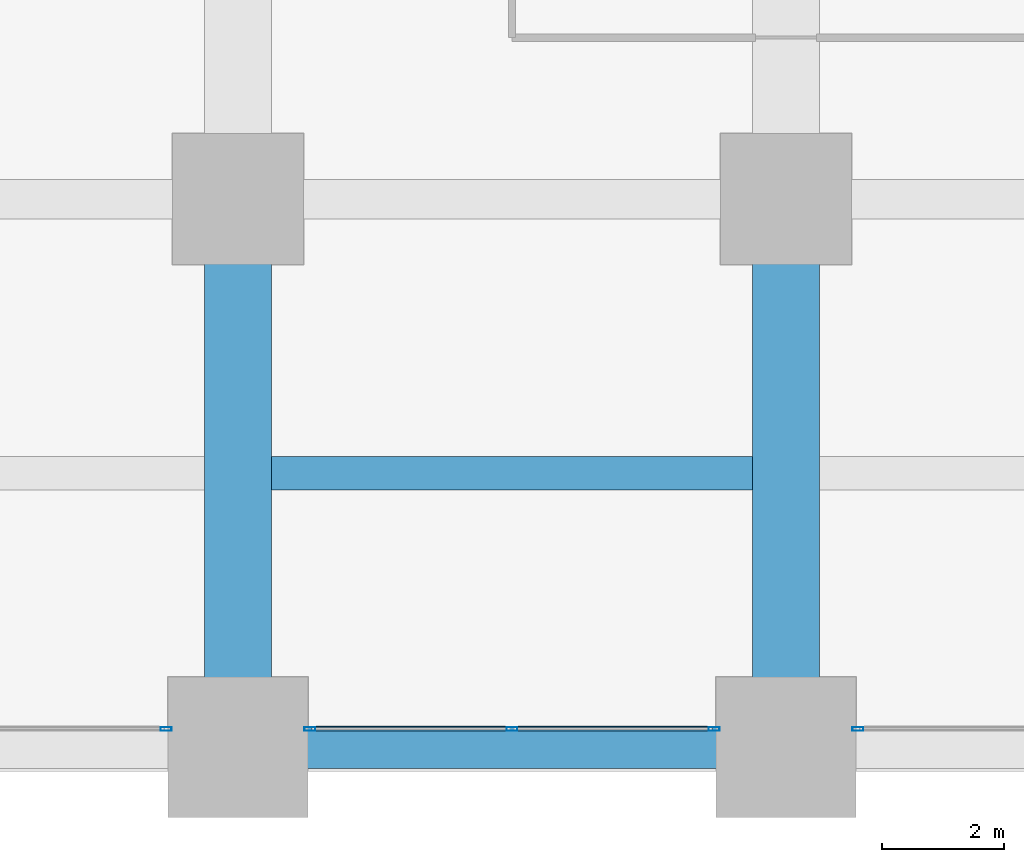
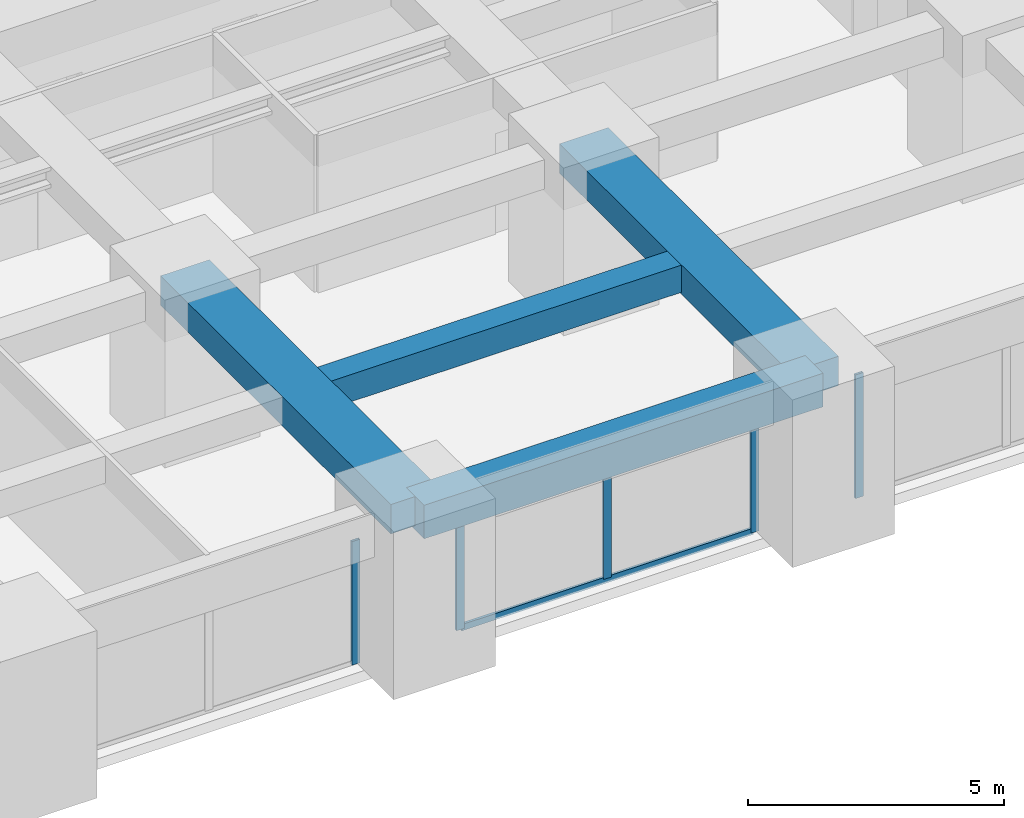
# One storey, part 13 of 44: 6 members, 4 beams, 3 elements without a shape of their own.
"""IFC4 building model written with IfcOpenShell, lengths in metres."""

from ifc_helpers import new_model, si_unit, direction, frame, origin, origin_2d, place, context, subcontext, project, spatial, rectangle, hollow_rectangle, extrude, material, material_profile, profile_set, type_object, element, aggregate, save


model = new_model("IFC4")

# Units and contexts
model_context = context("Model", 3, precision=1e-05, world=origin(), true_north=direction((0.0, 1.0)))
body_context = subcontext(model_context, "Body", "Model", "MODEL_VIEW")
ifc_project = project(units=[si_unit("LENGTHUNIT", "METRE"), si_unit("AREAUNIT", "SQUARE_METRE"), si_unit("VOLUMEUNIT", "CUBIC_METRE"), si_unit("PLANEANGLEUNIT", "RADIAN"), si_unit("MASSUNIT", "GRAM", prefix="KILO")], contexts=[model_context])

# Site, building, storey
site_placement = place(None, origin())
site = spatial("IfcSite", under=ifc_project, at=site_placement, CompositionType="ELEMENT")
building_placement = place(site_placement, origin())
building = spatial("IfcBuilding", under=site, at=building_placement, Name="Zorevar Civic Tower", CompositionType="ELEMENT")
storey_placement = place(building_placement, frame((0.0, 0.0, 59.800048828125)))
storey = spatial("IfcBuildingStorey", under=building, at=storey_placement, Name="L14", CompositionType="ELEMENT", Elevation=59.800048828125)

# Beams
ifc_material_1 = material(Name="Concrete C50/60", Category="concrete")
ifc_material_profile_1 = material_profile(ifc_material_1, rectangle(XDim=1.10009765625, YDim=0.699951171875, at=origin_2d()), Name="RC 1100x700")
ifc_profile_set_1 = profile_set([ifc_material_profile_1], Name="Concrete C50/60")
beam_type_1 = type_object("IfcBeamType", Name="Beam RC 1100x700", PredefinedType="BEAM", material=ifc_profile_set_1)
for number, where, z_axis, x_axis, name in (
    (1, (36.0, 0.0, 3.39990234375), (0.0, 1.0, 0.0), (-1.0, 0.0, 0.0), "Girder L15"),
    (2, (45.0, 0.0, 3.39990234375), (0.0, 1.0, 0.0), (-1.0, 0.0, 0.0), "Girder L15"),
):
    element("IfcBeam", number, at=place(storey_placement, frame(where, z_axis=z_axis, x_axis=x_axis)), inside=storey, type_object=beam_type_1, Name=name, PredefinedType="BEAM", context=body_context, shape_type="SweptSolid", body=[
        extrude(rectangle(XDim=1.10009765625, YDim=0.699951171875, at=origin_2d()), origin(), (0.0, 0.0, 1.0), 9.0),
    ])
ifc_material_2 = material(Name="Concrete C50/60", Category="concrete")
ifc_material_profile_2 = material_profile(ifc_material_2, rectangle(XDim=0.550048828125, YDim=0.64990234375, at=origin_2d()), Name="RC 550x650")
ifc_profile_set_2 = profile_set([ifc_material_profile_2], Name="Concrete C50/60")
beam_type_2 = type_object("IfcBeamType", Name="Beam RC 550x650", PredefinedType="BEAM", material=ifc_profile_set_2)
beam_1_placement = place(storey_placement, frame((36.550048828125, 4.5, 3.425048828125), z_axis=(1.0, 0.0, 0.0), x_axis=(0.0, 1.0, 0.0)))
element("IfcBeam", 3, at=beam_1_placement, inside=storey, type_object=beam_type_2, Name="Secondary beam L15", PredefinedType="BEAM", context=body_context, shape_type="SweptSolid", body=[
    extrude(rectangle(XDim=0.550048828125, YDim=0.64990234375, at=origin_2d()), origin(), (0.0, 0.0, 1.0), 7.89990234375),
])

# Curtain wall, member
ifc_material_3 = material(Name="Dark grey solar-control glass in black aluminium frame", Category="aluminium")
curtain_wall_type = type_object("IfcCurtainWallType", Name="Curtain wall CW2 low zone", PredefinedType="NOTDEFINED", material=ifc_material_3)
curtain_wall_1_placement = place(storey_placement, origin())
curtain_wall_1 = element("IfcCurtainWall", 4, at=curtain_wall_1_placement, inside=storey, type_object=curtain_wall_type, Name="CW2 L14", PredefinedType="NOTDEFINED")
ifc_material_4 = material(Name="Aluminium, black anodised", Category="aluminium")
ifc_material_profile_3 = material_profile(ifc_material_4, hollow_rectangle(XDim=0.06005859375, YDim=0.179931640625, WallThickness=0.00390625, at=origin_2d()), Name="AL 180x60x4")
ifc_profile_set_3 = profile_set([ifc_material_profile_3], Name="Aluminium, black anodised")
member_type_1 = type_object("IfcMemberType", Name="CW2 mullion AL 180x60x4", PredefinedType="MULLION", material=ifc_profile_set_3)
member_1_placement = place(storey_placement, frame((34.820068359375, 0.300048828125, 0.0), z_axis=(0.0, 0.0, 1.0), x_axis=(0.0, 1.0, 0.0)))
member_1 = element("IfcMember", 5, at=member_1_placement, type_object=member_type_1, Name="CW2 mullion 3", PredefinedType="MULLION", context=body_context, shape_type="SweptSolid", body=[
    extrude(hollow_rectangle(XDim=0.06005859375, YDim=0.179931640625, WallThickness=0.00390625, at=origin_2d()), origin(), (0.0, 0.0, 1.0), 2.949951171875),
])
aggregate(curtain_wall_1, [member_1])

# Curtain wall, members
curtain_wall_2_placement = place(storey_placement, origin())
curtain_wall_2 = element("IfcCurtainWall", 6, at=curtain_wall_2_placement, inside=storey, type_object=curtain_wall_type, Name="CW2 L14", PredefinedType="NOTDEFINED")
member_2_placement = place(storey_placement, frame((37.179931640625, 0.300048828125, 0.0), z_axis=(0.0, 0.0, 1.0), x_axis=(0.0, 1.0, 0.0)))
member_2 = element("IfcMember", 7, at=member_2_placement, type_object=member_type_1, Name="CW2 mullion 1", PredefinedType="MULLION", context=body_context, shape_type="SweptSolid", body=[
    extrude(hollow_rectangle(XDim=0.06005859375, YDim=0.179931640625, WallThickness=0.00390625, at=origin_2d()), origin(), (0.0, 0.0, 1.0), 2.949951171875),
])
member_3_placement = place(storey_placement, frame((40.5, 0.300048828125, 0.06005859375), z_axis=(0.0, 0.0, 1.0), x_axis=(0.0, 1.0, 0.0)))
member_3 = element("IfcMember", 8, at=member_3_placement, type_object=member_type_1, Name="CW2 mullion 2", PredefinedType="MULLION", context=body_context, shape_type="SweptSolid", body=[
    extrude(hollow_rectangle(XDim=0.06005859375, YDim=0.179931640625, WallThickness=0.00390625, at=origin_2d()), origin(), (0.0, 0.0, 1.0), 2.889892578125),
])
member_4_placement = place(storey_placement, frame((43.820068359375, 0.300048828125, 0.0), z_axis=(0.0, 0.0, 1.0), x_axis=(0.0, 1.0, 0.0)))
member_4 = element("IfcMember", 9, at=member_4_placement, type_object=member_type_1, Name="CW2 mullion 3", PredefinedType="MULLION", context=body_context, shape_type="SweptSolid", body=[
    extrude(hollow_rectangle(XDim=0.06005859375, YDim=0.179931640625, WallThickness=0.00390625, at=origin_2d()), origin(), (0.0, 0.0, 1.0), 2.949951171875),
])

# Curtain wall, member
curtain_wall_3_placement = place(storey_placement, origin())
curtain_wall_3 = element("IfcCurtainWall", 10, at=curtain_wall_3_placement, inside=storey, type_object=curtain_wall_type, Name="CW2 L14", PredefinedType="NOTDEFINED")
member_5_placement = place(storey_placement, frame((46.179931640625, 0.300048828125, 0.0), z_axis=(0.0, 0.0, 1.0), x_axis=(0.0, 1.0, 0.0)))
member_5 = element("IfcMember", 11, at=member_5_placement, type_object=member_type_1, Name="CW2 mullion 1", PredefinedType="MULLION", context=body_context, shape_type="SweptSolid", body=[
    extrude(hollow_rectangle(XDim=0.06005859375, YDim=0.179931640625, WallThickness=0.00390625, at=origin_2d()), origin(), (0.0, 0.0, 1.0), 2.949951171875),
])
aggregate(curtain_wall_3, [member_5])

# Member
ifc_material_5 = material(Name="Aluminium, black anodised", Category="aluminium")
ifc_material_profile_4 = material_profile(ifc_material_5, hollow_rectangle(XDim=0.06005859375, YDim=0.14990234375, WallThickness=0.00390625, at=origin_2d()), Name="AL 150x60x4")
ifc_profile_set_4 = profile_set([ifc_material_profile_4], Name="Aluminium, black anodised")
member_type_2 = type_object("IfcMemberType", Name="CW2 transom AL 150x60x4", PredefinedType="USERDEFINED", material=ifc_profile_set_4)
member_6_placement = place(storey_placement, frame((37.2099609375, 0.300048828125, 0.030029296875), z_axis=(1.0, 0.0, 0.0), x_axis=(0.0, 1.0, 0.0)))
member_6 = element("IfcMember", 12, at=member_6_placement, type_object=member_type_2, Name="CW2 sill transom", ObjectType="TRANSOM", PredefinedType="USERDEFINED", context=body_context, shape_type="SweptSolid", body=[
    extrude(hollow_rectangle(XDim=0.06005859375, YDim=0.14990234375, WallThickness=0.00390625, at=origin_2d()), origin(), (0.0, 0.0, 1.0), 6.580078125),
])

aggregate(curtain_wall_2, [member_2, member_3, member_4, member_6])

# Beam
ifc_material_6 = material(Name="Concrete C50/60", Category="concrete")
ifc_material_profile_5 = material_profile(ifc_material_6, rectangle(XDim=0.699951171875, YDim=0.800048828125, at=origin_2d()), Name="RC 700x800")
ifc_profile_set_5 = profile_set([ifc_material_profile_5], Name="Concrete C50/60")
beam_type_3 = type_object("IfcBeamType", Name="Edge beam RC 700x800", PredefinedType="SPANDREL", material=ifc_profile_set_5)
beam_2_placement = place(storey_placement, frame((36.0, 0.0, 3.349853515625), z_axis=(1.0, 0.0, 0.0), x_axis=(0.0, 1.0, 0.0)))
element("IfcBeam", 13, at=beam_2_placement, inside=storey, type_object=beam_type_3, Name="Edge beam L15", PredefinedType="SPANDREL", context=body_context, shape_type="SweptSolid", body=[
    extrude(rectangle(XDim=0.699951171875, YDim=0.800048828125, at=origin_2d()), origin(), (0.0, 0.0, 1.0), 9.0),
])

save(model, "model.ifc")
